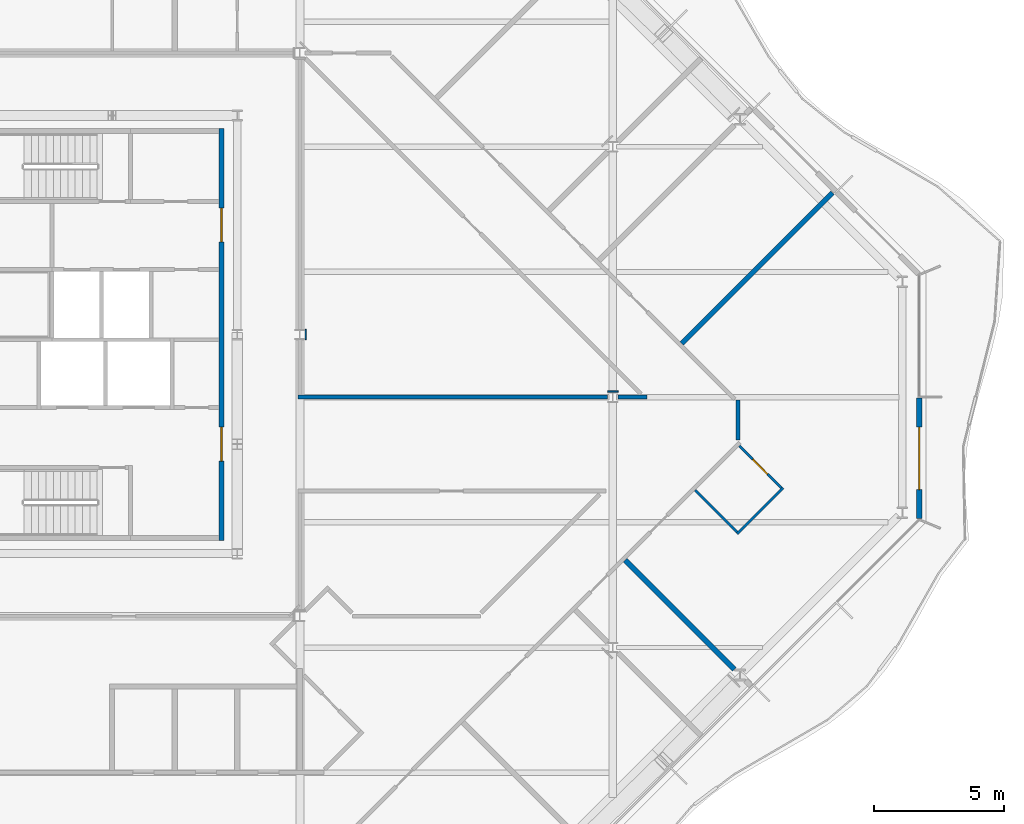
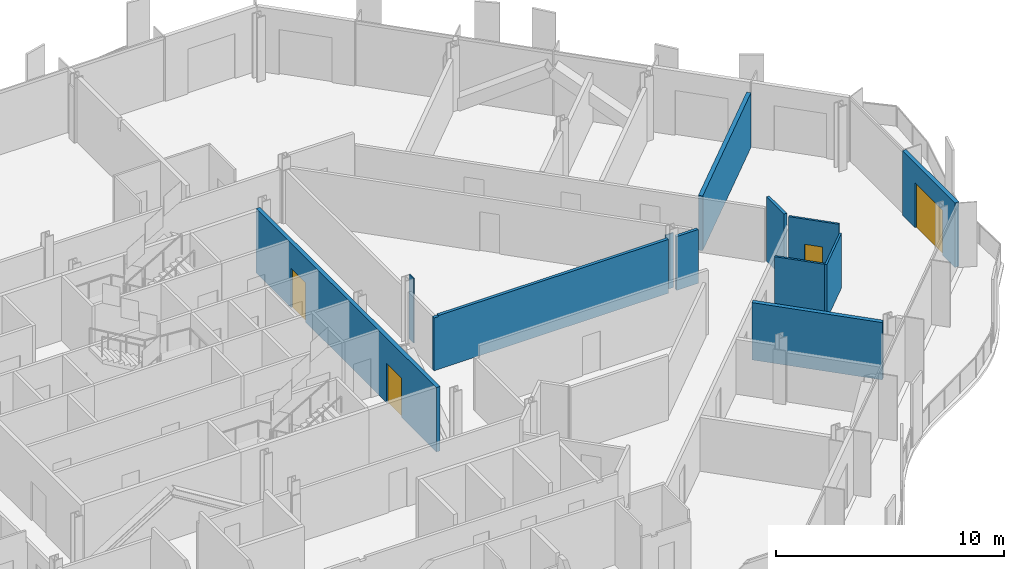
# One storey, part 10 of 17: 12 walls, 4 doors, 4 openings.
"""IFC4 building model written with IfcOpenShell, lengths in metres."""

from ifc_helpers import new_model, si_unit, direction, frame, frame_2d, origin, place, context, subcontext, project, spatial, polyline, rectangle, outline, extrude, material, layer, layer_set, type_object, element, fill, save


model = new_model("IFC4")

# Units and contexts
model_context = context("Model", 3, precision=1e-05, world=origin(), true_north=direction((0.0, 1.0)))
body_context = subcontext(model_context, "Body", "Model", "MODEL_VIEW")
ifc_project = project(units=[si_unit("LENGTHUNIT", "METRE"), si_unit("AREAUNIT", "SQUARE_METRE"), si_unit("VOLUMEUNIT", "CUBIC_METRE"), si_unit("PLANEANGLEUNIT", "RADIAN"), si_unit("MASSUNIT", "GRAM", prefix="KILO")], contexts=[model_context])

# Site, building, storey
site_placement = place(None, origin())
site = spatial("IfcSite", under=ifc_project, at=site_placement, CompositionType="ELEMENT")
building_placement = place(site_placement, origin())
building = spatial("IfcBuilding", under=site, at=building_placement, Name="Cairn Pilgrim Tower", CompositionType="ELEMENT")
storey_placement = place(building_placement, frame((0.0, 0.0, 214.199951171875)))
storey = spatial("IfcBuildingStorey", under=building, at=storey_placement, Name="L54", CompositionType="ELEMENT", Elevation=214.199951171875)

# Wall, opening, door
ifc_material_1 = material(Name="Bronze anodised aluminium insulated sandwich panel with mineral wool fill", Category="aluminium")
ifc_layer_1 = layer(ifc_material_1, 0.199951171875)
ifc_layer_set_1 = layer_set([ifc_layer_1], Name="BRONZE INFILL FRAME WALL 200")
wall_type_1 = type_object("IfcWallType", Name="BRONZE INFILL FRAME WALL 200", PredefinedType="NOTDEFINED", material=ifc_layer_set_1)
wall_1_placement = place(storey_placement, frame((42.949951171875, -4.656494140625, 0.0), z_axis=(0.0, 0.0, 1.0), x_axis=(0.0, 1.0, 0.0)))
wall_1 = element("IfcWall", 1, at=wall_1_placement, inside=storey, type_object=wall_type_1, Name="Bronze infill frame wall IW-E1", PredefinedType="NOTDEFINED", context=body_context, shape_type="SweptSolid", body=[
    extrude(rectangle(XDim=4.62646484375, YDim=0.199951171875, at=frame_2d((2.313232421875, 0.0))), origin(), (0.0, 0.0, 1.0), 3.449951171875),
])
opening_1_placement = place(wall_1_placement, frame((1.1083984375, 0.0, 0.0)))
opening_1 = element("IfcOpeningElement", 2, at=opening_1_placement, cuts=wall_1, Name="Opening 5404B", PredefinedType="OPENING", context=body_context, shape_type="SweptSolid", body=[
    extrude(rectangle(XDim=2.39990234375, YDim=2.39990234375, at=frame_2d((1.199951171875, 1.199951171875))), frame((0.0, 0.10986328125, 0.0), z_axis=(0.0, -1.0, 0.0), x_axis=(1.0, 0.0, 0.0)), (0.0, 0.0, 1.0), 0.219970703125),
])
ifc_material_2 = material(Name="Bronze anodised aluminium frame with tinted low-E glass", Category="aluminium")
door_type_1 = type_object("IfcDoorType", Name="BALCONY SLIDING DOOR 2400x2400", OperationType="DOUBLE_DOOR_SLIDING", PredefinedType="DOOR", material=ifc_material_2)
door_1_placement = place(opening_1_placement, origin())
door_1 = element("IfcDoor", 3, at=door_1_placement, inside=storey, type_object=door_type_1, Name="Balcony sliding door 5404B", OperationType="SINGLE_SWING_LEFT", OverallHeight=2.39990234375, OverallWidth=2.39990234375, PredefinedType="DOOR", context=body_context, shape_type="SweptSolid", body=[
    extrude(rectangle(XDim=2.39990234375, YDim=2.39990234375, at=frame_2d((1.199951171875, 1.199951171875))), frame((0.0, 0.02490234375, 0.0), z_axis=(0.0, -1.0, 0.0), x_axis=(1.0, 0.0, 0.0)), (0.0, 0.0, 1.0), 0.050048828125),
])
fill(opening_1, door_1)

# Wall, openings, doors
ifc_material_3 = material(Name="Concrete C32/40", Category="concrete")
ifc_layer_2 = layer(ifc_material_3, 0.199951171875)
ifc_layer_set_2 = layer_set([ifc_layer_2], Name="CORE OUTER WALL 200 EI 120")
wall_type_2 = type_object("IfcWallType", Name="CORE OUTER WALL 200 EI 120", PredefinedType="SOLIDWALL", material=ifc_layer_set_2)
wall_2_placement = place(storey_placement, frame((16.199951171875, -5.5, 0.0), z_axis=(0.0, 0.0, 1.0), x_axis=(0.0, 1.0, 0.0)))
wall_2 = element("IfcWall", 4, at=wall_2_placement, inside=storey, type_object=wall_type_2, Name="CW:L54:V30", PredefinedType="SOLIDWALL", context=body_context, shape_type="SweptSolid", body=[
    extrude(rectangle(XDim=15.800048828125, YDim=0.199951171875, at=frame_2d((7.89990234375, 0.0))), origin(), (0.0, 0.0, 1.0), 3.449951171875),
])
opening_2_placement = place(wall_2_placement, frame((3.050048828125, 0.0, 0.0)))
opening_2 = element("IfcOpeningElement", 5, at=opening_2_placement, cuts=wall_2, Name="Opening CD-E1", PredefinedType="OPENING", context=body_context, shape_type="SweptSolid", body=[
    extrude(rectangle(XDim=1.300048828125, YDim=2.10009765625, at=frame_2d((0.64990234375, 1.050048828125))), frame((0.0, 0.10986328125, 0.0), z_axis=(0.0, -1.0, 0.0), x_axis=(1.0, 0.0, 0.0)), (0.0, 0.0, 1.0), 0.219970703125),
])
opening_3_placement = place(wall_2_placement, frame((11.449951171875, 0.0, 0.0)))
opening_3 = element("IfcOpeningElement", 6, at=opening_3_placement, cuts=wall_2, Name="Opening CD-E2", PredefinedType="OPENING", context=body_context, shape_type="SweptSolid", body=[
    extrude(rectangle(XDim=1.300048828125, YDim=2.10009765625, at=frame_2d((0.64990234375, 1.050048828125))), frame((0.0, 0.10986328125, 0.0), z_axis=(0.0, -1.0, 0.0), x_axis=(1.0, 0.0, 0.0)), (0.0, 0.0, 1.0), 0.219970703125),
])
ifc_material_4 = material(Name="Painted steel", Category="steel")
door_type_2 = type_object("IfcDoorType", Name="CORE LOBBY DOOR 1300x2100", OperationType="DOUBLE_DOOR_SINGLE_SWING", PredefinedType="DOOR", material=ifc_material_4)
door_2_placement = place(opening_2_placement, origin())
door_2 = element("IfcDoor", 7, at=door_2_placement, inside=storey, type_object=door_type_2, Name="CD-E1", OperationType="DOUBLE_DOOR_SINGLE_SWING", OverallHeight=2.10009765625, OverallWidth=1.300048828125, PredefinedType="DOOR", context=body_context, shape_type="SweptSolid", body=[
    extrude(rectangle(XDim=1.300048828125, YDim=2.10009765625, at=frame_2d((0.64990234375, 1.050048828125))), frame((0.0, 0.02490234375, 0.0), z_axis=(0.0, -1.0, 0.0), x_axis=(1.0, 0.0, 0.0)), (0.0, 0.0, 1.0), 0.050048828125),
])
fill(opening_2, door_2)
door_3_placement = place(opening_3_placement, origin())
door_3 = element("IfcDoor", 8, at=door_3_placement, inside=storey, type_object=door_type_2, Name="CD-E2", OperationType="DOUBLE_DOOR_SINGLE_SWING", OverallHeight=2.10009765625, OverallWidth=1.300048828125, PredefinedType="DOOR", context=body_context, shape_type="SweptSolid", body=[
    extrude(rectangle(XDim=1.300048828125, YDim=2.10009765625, at=frame_2d((0.64990234375, 1.050048828125))), frame((0.0, 0.02490234375, 0.0), z_axis=(0.0, -1.0, 0.0), x_axis=(1.0, 0.0, 0.0)), (0.0, 0.0, 1.0), 0.050048828125),
])
fill(opening_3, door_3)

# Walls
ifc_material_5 = material(Name="Gypsum partition")
ifc_layer_3 = layer(ifc_material_5, 0.10009765625)
ifc_layer_set_3 = layer_set([ifc_layer_3], Name="PARTITION 100 DRYWALL")
wall_type_3 = type_object("IfcWallType", Name="PARTITION 100 DRYWALL", PredefinedType="PARTITIONING", material=ifc_layer_set_3)
wall_3_placement = place(storey_placement, frame((35.964599609375, -5.176513671875, 0.0), z_axis=(0.0, 0.0, 1.0), x_axis=(-0.707160441348, 0.707053116953, 0.0)))
element("IfcWall", 9, at=wall_3_placement, inside=storey, type_object=wall_type_3, Name="PARTITION W046", PredefinedType="PARTITIONING", context=body_context, shape_type="SweptSolid", body=[
    extrude(rectangle(XDim=2.27490234375, YDim=0.10009765625, at=frame_2d((1.137451171875, 0.0))), origin(), (0.0, 0.0, 1.0), 2.929931640625),
])
wall_4_placement = place(storey_placement, frame((35.964599609375, -5.247314453125, 0.0), z_axis=(0.0, 0.0, 1.0), x_axis=(0.707155609469, 0.707057949532, 0.0)))
element("IfcWall", 10, at=wall_4_placement, inside=storey, type_object=wall_type_3, Name="PARTITION W047", PredefinedType="PARTITIONING", context=body_context, shape_type="SweptSolid", body=[
    extrude(rectangle(XDim=2.5, YDim=0.10009765625, at=frame_2d((1.25, 0.0))), origin(), (0.0, 0.0, 1.0), 2.929931640625),
])

# Wall, opening, door
wall_5_placement = place(storey_placement, frame((37.66162109375, -3.4794921875, 0.0), z_axis=(0.0, 0.0, 1.0), x_axis=(-0.707160441348, 0.707053116953, 0.0)))
wall_5 = element("IfcWall", 11, at=wall_5_placement, inside=storey, type_object=wall_type_3, Name="PARTITION W050", PredefinedType="PARTITIONING", context=body_context, shape_type="SweptSolid", body=[
    extrude(rectangle(XDim=2.27490234375, YDim=0.10009765625, at=frame_2d((1.137451171875, 0.0))), origin(), (0.0, 0.0, 1.0), 3.449951171875),
])
opening_4_placement = place(wall_5_placement, frame((0.75, 0.0, 0.0)))
opening_4 = element("IfcOpeningElement", 12, at=opening_4_placement, cuts=wall_5, Name="Opening 5404A", PredefinedType="OPENING", context=body_context, shape_type="SweptSolid", body=[
    extrude(rectangle(XDim=0.800048828125, YDim=2.10009765625, at=frame_2d((0.39990234375, 1.050048828125))), frame((0.0, 0.06005859375, 0.0), z_axis=(0.0, -1.0, 0.0), x_axis=(1.0, 0.0, 0.0)), (0.0, 0.0, 1.0), 0.1201171875),
])
ifc_material_6 = material(Name="Timber door leaf", Category="wood")
door_type_3 = type_object("IfcDoorType", Name="WC DOOR 800x2100", OperationType="NOTDEFINED", PredefinedType="DOOR", material=ifc_material_6)
door_4_placement = place(opening_4_placement, frame((0.800048828125, 0.0, 0.0), z_axis=(0.0, 0.0, 1.0), x_axis=(-1.0, 0.0, 0.0)))
door_4 = element("IfcDoor", 13, at=door_4_placement, inside=storey, type_object=door_type_3, Name="DOOR 5404A", OperationType="SINGLE_SWING_LEFT", OverallHeight=2.10009765625, OverallWidth=0.800048828125, PredefinedType="DOOR", context=body_context, shape_type="SweptSolid", body=[
    extrude(rectangle(XDim=0.800048828125, YDim=2.10009765625, at=frame_2d((0.39990234375, 1.050048828125))), frame((0.0, 0.02490234375, 0.0), z_axis=(0.0, -1.0, 0.0), x_axis=(1.0, 0.0, 0.0)), (0.0, 0.0, 1.0), 0.050048828125),
])
fill(opening_4, door_4)

# Walls
ifc_layer_4 = layer(ifc_material_5, 0.14990234375)
ifc_layer_set_4 = layer_set([ifc_layer_4], Name="PARTITION 150 DRYWALL EI 60")
wall_type_4 = type_object("IfcWallType", Name="PARTITION 150 DRYWALL EI 60", PredefinedType="PARTITIONING", material=ifc_layer_set_4)
wall_6_placement = place(storey_placement, frame((36.0, -1.636962890625, 0.0), z_axis=(0.0, 0.0, 1.0), x_axis=(0.0, 1.0, 0.0)))
element("IfcWall", 14, at=wall_6_placement, inside=storey, type_object=wall_type_4, Name="PARTITION W051", PredefinedType="PARTITIONING", context=body_context, shape_type="SweptSolid", body=[
    extrude(outline(polyline([(0.0, 0.0), (1.537109375, 0.0), (1.537109375, 2.880126953125), (1.531982421875, 2.880126953125), (1.52978515625, 3.449951171875), (0.0, 3.449951171875), (0.0, 0.0)])), frame((0.0, 0.074951171875, 0.0), z_axis=(0.0, -1.0, 0.0), x_axis=(1.0, 0.0, 0.0)), (0.0, 0.0, 1.0), 0.14990234375),
])
wall_7_placement = place(storey_placement, frame((19.125, 0.0, 0.0), z_axis=(0.0, 0.0, 1.0), x_axis=(1.0, 0.0, 0.0)))
element("IfcWall", 15, at=wall_7_placement, inside=storey, type_object=wall_type_4, Name="PARTITION W053", PredefinedType="PARTITIONING", context=body_context, shape_type="SweptSolid", body=[
    extrude(outline(polyline([(0.0, 0.0), (11.87548828125, 0.0), (11.87548828125, 2.880126953125), (0.22509765625, 2.880126953125), (0.222900390625, 2.830078125), (0.0, 2.830078125), (0.0, 0.0)])), frame((0.0, 0.074951171875, 0.0), z_axis=(0.0, -1.0, 0.0), x_axis=(1.0, 0.0, 0.0)), (0.0, 0.0, 1.0), 0.14990234375),
])
wall_8_placement = place(storey_placement, frame((31.3994140625, 0.0, 0.0), z_axis=(0.0, 0.0, 1.0), x_axis=(1.0, 0.0, 0.0)))
element("IfcWall", 16, at=wall_8_placement, inside=storey, type_object=wall_type_4, Name="PARTITION W054", PredefinedType="PARTITIONING", context=body_context, shape_type="SweptSolid", body=[
    extrude(rectangle(XDim=1.106689453125, YDim=0.14990234375, at=frame_2d((0.55322265625, 0.0))), origin(), (0.0, 0.0, 1.0), 2.880126953125),
])
ifc_layer_5 = layer(ifc_material_5, 0.050048828125)
ifc_layer_set_5 = layer_set([ifc_layer_5], Name="PARTITION 50 DRYWALL EI 60")
wall_type_5 = type_object("IfcWallType", Name="PARTITION 50 DRYWALL EI 60", PredefinedType="PARTITIONING", material=ifc_layer_set_5)
wall_9_placement = place(storey_placement, frame((31.00048828125, 0.221435546875, 0.0), z_axis=(0.0, 0.0, 1.0), x_axis=(1.0, 0.0, 0.0)))
element("IfcWall", 17, at=wall_9_placement, inside=storey, type_object=wall_type_5, Name="COLUMN CASING WC14", PredefinedType="PARTITIONING", context=body_context, shape_type="SweptSolid", body=[
    extrude(rectangle(XDim=0.39892578125, YDim=0.050048828125, at=frame_2d((0.199462890625, 0.0))), origin(), (0.0, 0.0, 1.0), 2.929931640625),
])
wall_10_placement = place(storey_placement, frame((19.424560546875, 2.20361328125, 0.0), z_axis=(0.0, 0.0, 1.0), x_axis=(0.0, 1.0, 0.0)))
element("IfcWall", 18, at=wall_10_placement, inside=storey, type_object=wall_type_5, Name="COLUMN CASING WC15", PredefinedType="PARTITIONING", context=body_context, shape_type="SweptSolid", body=[
    extrude(rectangle(XDim=0.392822265625, YDim=0.050048828125, at=frame_2d((0.1962890625, 0.0))), origin(), (0.0, 0.0, 1.0), 3.449951171875),
])
ifc_layer_6 = layer(ifc_material_5, 0.199951171875)
ifc_layer_set_6 = layer_set([ifc_layer_6], Name="SHAFT WALL 200 GYPSUM EI 60")
wall_type_6 = type_object("IfcWallType", Name="SHAFT WALL 200 GYPSUM EI 60", PredefinedType="PARTITIONING", material=ifc_layer_set_6)
wall_11_placement = place(storey_placement, frame((35.860107421875, -10.43603515625, 0.0), z_axis=(0.0, 0.0, 1.0), x_axis=(-0.707106781187, 0.707106781187, 0.0)))
element("IfcWall", 19, at=wall_11_placement, inside=storey, type_object=wall_type_6, Name="PARTITION W032", PredefinedType="PARTITIONING", context=body_context, shape_type="SweptSolid", body=[
    extrude(rectangle(XDim=5.919921875, YDim=0.199951171875, at=frame_2d((2.9599609375, 0.0))), origin(), (0.0, 0.0, 1.0), 3.070068359375),
])
wall_12_placement = place(storey_placement, frame((33.843017578125, 2.056884765625, 0.0), z_axis=(0.0, 0.0, 1.0), x_axis=(0.70709185088, 0.707121711178, 0.0)))
element("IfcWall", 20, at=wall_12_placement, inside=storey, type_object=wall_type_6, Name="PARTITION W057", PredefinedType="PARTITIONING", context=body_context, shape_type="SweptSolid", body=[
    extrude(rectangle(XDim=8.176025390625, YDim=0.199951171875, at=frame_2d((4.087890625, 0.0))), origin(), (0.0, 0.0, 1.0), 2.929931640625),
])

save(model, "model.ifc")
